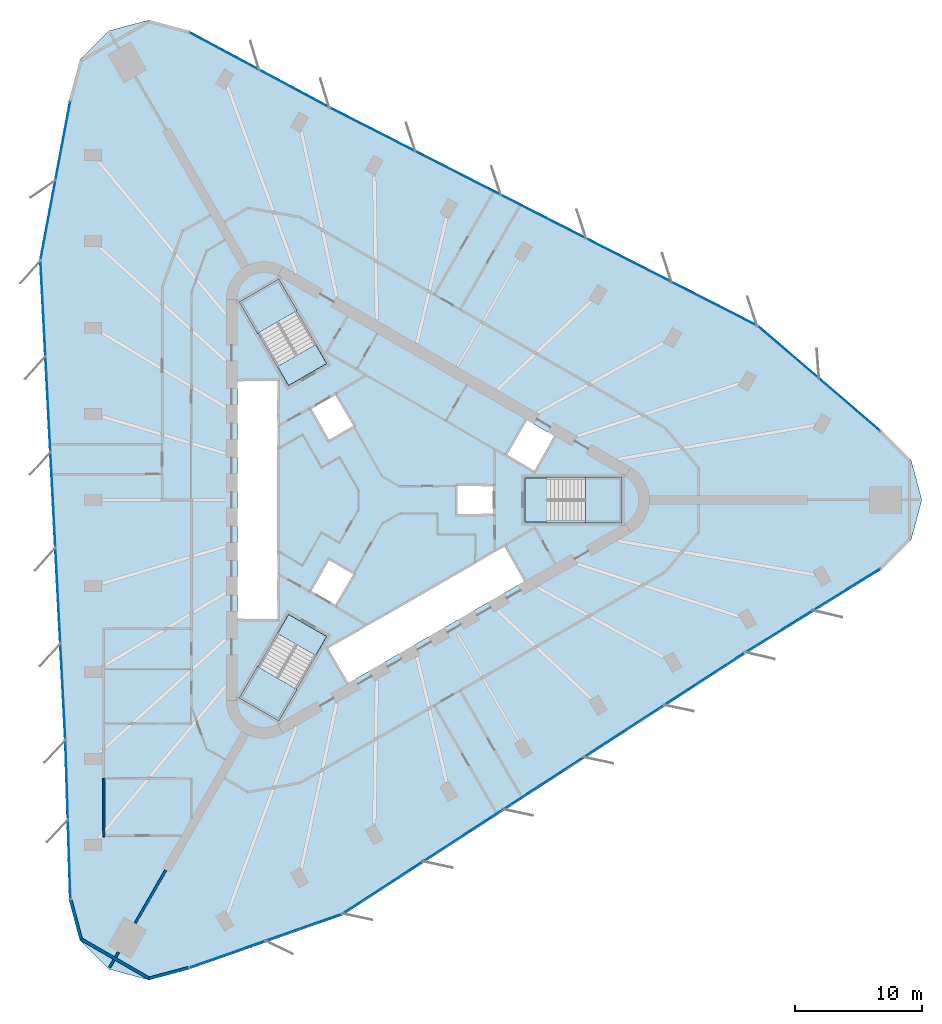
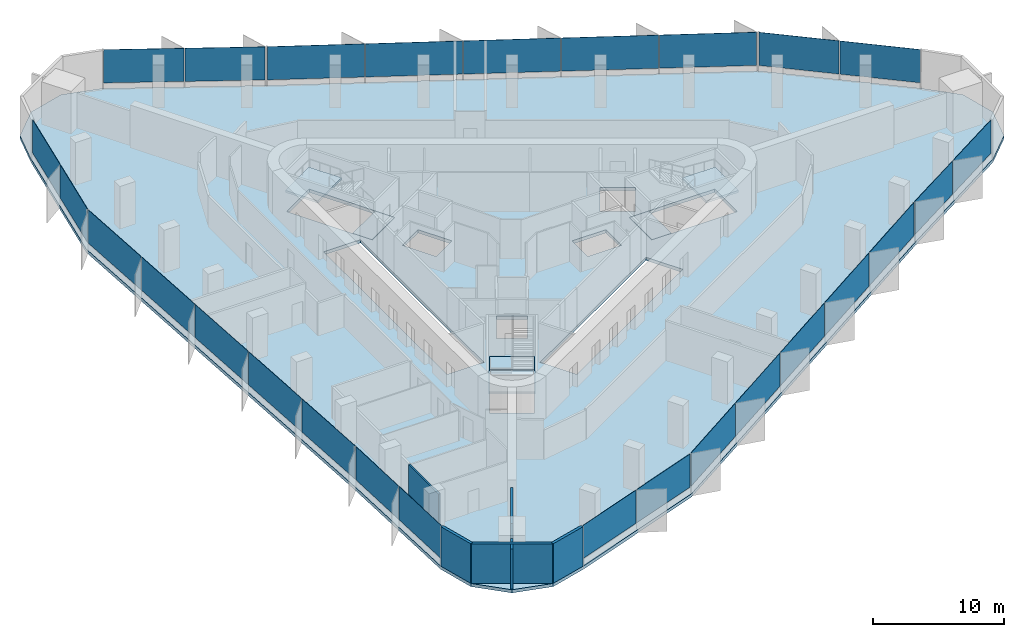
# One storey, part 7 of 13: 27 plates, 7 slabs, 7 walls, 12 elements without a shape of their own.
"""IFC4 building model written with IfcOpenShell, lengths in metres."""

from ifc_helpers import new_model, si_unit, direction, frame, frame_2d, origin, origin_2d, place, context, subcontext, project, spatial, polyline, rectangle, outline, extrude, material, layer, layer_set, type_object, element, aggregate, save


model = new_model("IFC4")

# Units and contexts
model_context = context("Model", 3, precision=1e-05, world=origin(), true_north=direction((0.0, 1.0)))
body_context = subcontext(model_context, "Body", "Model", "MODEL_VIEW")
ifc_project = project(units=[si_unit("LENGTHUNIT", "METRE"), si_unit("AREAUNIT", "SQUARE_METRE"), si_unit("VOLUMEUNIT", "CUBIC_METRE"), si_unit("PLANEANGLEUNIT", "RADIAN"), si_unit("MASSUNIT", "GRAM", prefix="KILO")], contexts=[model_context])

# Site, building, storey
site_placement = place(None, origin())
site = spatial("IfcSite", under=ifc_project, at=site_placement, CompositionType="ELEMENT")
building_placement = place(site_placement, origin())
building = spatial("IfcBuilding", under=site, at=building_placement, Name="Tanit Gate Tower", CompositionType="ELEMENT")
storey_placement = place(building_placement, frame((0.0, 0.0, 173.199951171875)))
storey = spatial("IfcBuildingStorey", under=building, at=storey_placement, Name="L37", CompositionType="ELEMENT", Elevation=173.199951171875)

# Slab
ifc_material_1 = material(Name="Concrete C35/45", Category="concrete")
ifc_layer_1 = layer(ifc_material_1, 0.300048828125)
ifc_layer_set_1 = layer_set([ifc_layer_1], Name="FLOOR SLAB 300 C35/45")
slab_type_1 = type_object("IfcSlabType", Name="FLOOR SLAB 300 C35/45", PredefinedType="FLOOR", material=ifc_layer_set_1)
slab_1_placement = place(storey_placement, frame((0.0, 0.0, -0.300048828125)))
element("IfcSlab", 1, at=slab_1_placement, inside=storey, type_object=slab_type_1, Name="FLOOR SLAB L37", PredefinedType="FLOOR", context=body_context, shape_type="SweptSolid", body=[
    extrude(outline(polyline([(39.398681640625, 5.455078125), (41.7041015625, 3.1494140625), (42.548095703125, 0.0), (41.7041015625, -3.1494140625), (39.398681640625, -5.455078125), (28.72216796875, -12.077392578125), (-2.923583984375, -32.607177734375), (-14.97509765625, -36.84765625), (-18.12451171875, -37.691650390625), (-21.27392578125, -36.84765625), (-23.57958984375, -34.5419921875), (-24.423583984375, -31.392578125), (-24.8203125, -18.83544921875), (-26.77685546875, 18.83544921875), (-24.423583984375, 31.392578125), (-23.57958984375, 34.5419921875), (-21.27392578125, 36.84765625), (-18.12451171875, 37.691650390625), (-14.97509765625, 36.84765625), (-3.90185546875, 30.912841796875), (29.700439453125, 13.771484375), (39.398681640625, 5.455078125)]), holes=[polyline([(11.3701171875, 1.72998046875), (18.929931640625, 1.72998046875), (18.929931640625, -1.72998046875), (11.3701171875, -1.72998046875), (11.3701171875, 1.72998046875)]), polyline([(9.82080078125, 3.510009765625), (11.44580078125, 6.324462890625), (13.783935546875, 4.974609375), (12.158935546875, 2.159912109375), (9.82080078125, 3.510009765625)]), polyline([(-4.208984375, -11.60986328125), (9.82080078125, -3.510009765625), (11.44580078125, -6.324462890625), (-2.583984375, -14.424560546875), (-4.208984375, -11.60986328125)]), polyline([(6.0, 1.199951171875), (9.0, 1.199951171875), (9.0, -1.199951171875), (6.0, -1.199951171875), (6.0, 1.199951171875)]), polyline([(-5.539306640625, 7.194091796875), (-3.460693359375, 8.394287109375), (-1.960693359375, 5.796142578125), (-4.039306640625, 4.59619140625), (-5.539306640625, 7.194091796875)]), polyline([(-1.960693359375, -5.796142578125), (-3.460693359375, -8.394287109375), (-5.539306640625, -7.194091796875), (-4.039306640625, -4.59619140625), (-1.960693359375, -5.796142578125)]), polyline([(-10.963134765625, 15.52880859375), (-7.966796875, 17.2587890625), (-4.186767578125, 10.711669921875), (-7.18310546875, 8.981689453125), (-10.963134765625, 15.52880859375)]), polyline([(-4.186767578125, -10.711669921875), (-7.966796875, -17.2587890625), (-10.963134765625, -15.52880859375), (-7.18310546875, -8.981689453125), (-4.186767578125, -10.711669921875)]), polyline([(-11.199951171875, -9.449951171875), (-11.199951171875, 9.449951171875), (-7.949951171875, 9.449951171875), (-7.949951171875, -9.449951171875), (-11.199951171875, -9.449951171875)])]), origin(), (0.0, 0.0, 1.0), 0.300048828125),
])

# Curtain wall, plates
ifc_material_2 = material(Name="Aluminium bronze anodised and glass", Category="aluminium")
curtain_wall_type = type_object("IfcCurtainWallType", Name="Curtain wall typical mid", PredefinedType="NOTDEFINED", material=ifc_material_2)
curtain_wall_1_placement = place(storey_placement, origin())
curtain_wall_1 = element("IfcCurtainWall", 2, at=curtain_wall_1_placement, inside=storey, type_object=curtain_wall_type, Name="Curtain wall L37 NE1", PredefinedType="NOTDEFINED")
ifc_material_3 = material(Name="Glass tinted", Category="glass")
ifc_layer_2 = layer(ifc_material_3, 0.030029296875)
ifc_layer_set_2 = layer_set([ifc_layer_2], Name="Glass panel 30 typical mid")
plate_type = type_object("IfcPlateType", Name="Glass panel 30 typical mid", PredefinedType="CURTAIN_PANEL", material=ifc_layer_set_2)
plate_1_placement = place(storey_placement, frame((36.880859375, 7.4560546875, 0.60009765625), z_axis=(0.0, 0.0, 1.0), x_axis=(-0.759109335547, 0.650963145412, 0.0)))
plate_1 = element("IfcPlate", 3, at=plate_1_placement, type_object=plate_type, Name="Glass panel L37 NE1.1", PredefinedType="CURTAIN_PANEL", context=body_context, shape_type="SweptSolid", body=[
    extrude(rectangle(XDim=6.25830078125, YDim=0.030029296875, at=origin_2d()), origin(), (0.0, 0.0, 1.0), 3.10009765625),
])
plate_2_placement = place(storey_placement, frame((32.0693359375, 11.58203125, 0.60009765625), z_axis=(0.0, 0.0, 1.0), x_axis=(-0.759109335547, 0.650963145412, 0.0)))
plate_2 = element("IfcPlate", 4, at=plate_2_placement, type_object=plate_type, Name="Glass panel L37 NE1.2", PredefinedType="CURTAIN_PANEL", context=body_context, shape_type="SweptSolid", body=[
    extrude(rectangle(XDim=6.25830078125, YDim=0.030029296875, at=origin_2d()), origin(), (0.0, 0.0, 1.0), 3.10009765625),
])
aggregate(curtain_wall_1, [plate_1, plate_2])

curtain_wall_2_placement = place(storey_placement, origin())
curtain_wall_2 = element("IfcCurtainWall", 5, at=curtain_wall_2_placement, inside=storey, type_object=curtain_wall_type, Name="Curtain wall L37 NE2", PredefinedType="NOTDEFINED")
plate_3_placement = place(storey_placement, frame((26.24560546875, 15.399169921875, 0.60009765625), z_axis=(0.0, 0.0, 1.0), x_axis=(-0.890792250432, 0.454410790552, 0.0)))
plate_3 = element("IfcPlate", 6, at=plate_3_placement, type_object=plate_type, Name="Glass panel L37 NE2.1", PredefinedType="CURTAIN_PANEL", context=body_context, shape_type="SweptSolid", body=[
    extrude(rectangle(XDim=7.44580078125, YDim=0.030029296875, at=origin_2d()), origin(), (0.0, 0.0, 1.0), 3.10009765625),
])
plate_4_placement = place(storey_placement, frame((19.541748046875, 18.819091796875, 0.60009765625), z_axis=(0.0, 0.0, 1.0), x_axis=(-0.890792250432, 0.454410790552, 0.0)))
plate_4 = element("IfcPlate", 7, at=plate_4_placement, type_object=plate_type, Name="Glass panel L37 NE2.2", PredefinedType="CURTAIN_PANEL", context=body_context, shape_type="SweptSolid", body=[
    extrude(rectangle(XDim=7.44580078125, YDim=0.030029296875, at=origin_2d()), origin(), (0.0, 0.0, 1.0), 3.10009765625),
])
plate_5_placement = place(storey_placement, frame((12.837890625, 22.23876953125, 0.60009765625), z_axis=(0.0, 0.0, 1.0), x_axis=(-0.890792250432, 0.454410790552, 0.0)))
plate_5 = element("IfcPlate", 8, at=plate_5_placement, type_object=plate_type, Name="Glass panel L37 NE2.3", PredefinedType="CURTAIN_PANEL", context=body_context, shape_type="SweptSolid", body=[
    extrude(rectangle(XDim=7.44580078125, YDim=0.030029296875, at=origin_2d()), origin(), (0.0, 0.0, 1.0), 3.10009765625),
])
plate_6_placement = place(storey_placement, frame((6.134033203125, 25.65869140625, 0.60009765625), z_axis=(0.0, 0.0, 1.0), x_axis=(-0.890792250432, 0.454410790552, 0.0)))
plate_6 = element("IfcPlate", 9, at=plate_6_placement, type_object=plate_type, Name="Glass panel L37 NE2.4", PredefinedType="CURTAIN_PANEL", context=body_context, shape_type="SweptSolid", body=[
    extrude(rectangle(XDim=7.44580078125, YDim=0.030029296875, at=origin_2d()), origin(), (0.0, 0.0, 1.0), 3.10009765625),
])
plate_7_placement = place(storey_placement, frame((-0.56982421875, 29.078369140625, 0.60009765625), z_axis=(0.0, 0.0, 1.0), x_axis=(-0.890792250432, 0.454410790552, 0.0)))
plate_7 = element("IfcPlate", 10, at=plate_7_placement, type_object=plate_type, Name="Glass panel L37 NE2.5", PredefinedType="CURTAIN_PANEL", context=body_context, shape_type="SweptSolid", body=[
    extrude(rectangle(XDim=7.44580078125, YDim=0.030029296875, at=origin_2d()), origin(), (0.0, 0.0, 1.0), 3.10009765625),
])
aggregate(curtain_wall_2, [plate_3, plate_4, plate_5, plate_6, plate_7])

curtain_wall_3_placement = place(storey_placement, origin())
curtain_wall_3 = element("IfcCurtainWall", 11, at=curtain_wall_3_placement, inside=storey, type_object=curtain_wall_type, Name="Curtain wall L37 NE3", PredefinedType="NOTDEFINED")
plate_8_placement = place(storey_placement, frame((-6.74072265625, 32.298095703125, 0.60009765625), z_axis=(0.0, 0.0, 1.0), x_axis=(-0.881384648642, 0.472399302643, 0.0)))
plate_8 = element("IfcPlate", 12, at=plate_8_placement, type_object=plate_type, Name="Glass panel L37 NE3.1", PredefinedType="CURTAIN_PANEL", context=body_context, shape_type="SweptSolid", body=[
    extrude(rectangle(XDim=6.1552734375, YDim=0.030029296875, at=origin_2d()), origin(), (0.0, 0.0, 1.0), 3.10009765625),
])
plate_9_placement = place(storey_placement, frame((-12.236328125, 35.24365234375, 0.60009765625), z_axis=(0.0, 0.0, 1.0), x_axis=(-0.881384648642, 0.472399302643, 0.0)))
plate_9 = element("IfcPlate", 13, at=plate_9_placement, type_object=plate_type, Name="Glass panel L37 NE3.2", PredefinedType="CURTAIN_PANEL", context=body_context, shape_type="SweptSolid", body=[
    extrude(rectangle(XDim=6.1552734375, YDim=0.030029296875, at=origin_2d()), origin(), (0.0, 0.0, 1.0), 3.10009765625),
])
aggregate(curtain_wall_3, [plate_8, plate_9])

curtain_wall_4_placement = place(storey_placement, origin())
curtain_wall_4 = element("IfcCurtainWall", 14, at=curtain_wall_4_placement, inside=storey, type_object=curtain_wall_type, Name="Curtain wall L37 W1", PredefinedType="NOTDEFINED")
plate_10_placement = place(storey_placement, frame((-24.897705078125, 28.211669921875, 0.60009765625), z_axis=(0.0, 0.0, 1.0), x_axis=(-0.184195953081, -0.98288954154, 0.0)))
plate_10 = element("IfcPlate", 15, at=plate_10_placement, type_object=plate_type, Name="Glass panel L37 W1.1", PredefinedType="CURTAIN_PANEL", context=body_context, shape_type="SweptSolid", body=[
    extrude(rectangle(XDim=6.25830078125, YDim=0.030029296875, at=origin_2d()), origin(), (0.0, 0.0, 1.0), 3.10009765625),
])
plate_11_placement = place(storey_placement, frame((-26.065185546875, 21.981689453125, 0.60009765625), z_axis=(0.0, 0.0, 1.0), x_axis=(-0.184195953081, -0.98288954154, 0.0)))
plate_11 = element("IfcPlate", 16, at=plate_11_placement, type_object=plate_type, Name="Glass panel L37 W1.2", PredefinedType="CURTAIN_PANEL", context=body_context, shape_type="SweptSolid", body=[
    extrude(rectangle(XDim=6.25830078125, YDim=0.030029296875, at=origin_2d()), origin(), (0.0, 0.0, 1.0), 3.10009765625),
])
aggregate(curtain_wall_4, [plate_10, plate_11])

curtain_wall_5_placement = place(storey_placement, origin())
curtain_wall_5 = element("IfcCurtainWall", 17, at=curtain_wall_5_placement, inside=storey, type_object=curtain_wall_type, Name="Curtain wall L37 W2", PredefinedType="NOTDEFINED")
plate_12_placement = place(storey_placement, frame((-26.458984375, 15.02978515625, 0.60009765625), z_axis=(0.0, 0.0, 1.0), x_axis=(0.051864836844, -0.998654113645, 0.0)))
plate_12 = element("IfcPlate", 18, at=plate_12_placement, type_object=plate_type, Name="Glass panel L37 W2.1", PredefinedType="CURTAIN_PANEL", context=body_context, shape_type="SweptSolid", body=[
    extrude(rectangle(XDim=7.44580078125, YDim=0.030029296875, at=origin_2d()), origin(), (0.0, 0.0, 1.0), 3.10009765625),
])
plate_13_placement = place(storey_placement, frame((-26.068603515625, 7.51416015625, 0.60009765625), z_axis=(0.0, 0.0, 1.0), x_axis=(0.051864836844, -0.998654113645, 0.0)))
plate_13 = element("IfcPlate", 19, at=plate_13_placement, type_object=plate_type, Name="Glass panel L37 W2.2", PredefinedType="CURTAIN_PANEL", context=body_context, shape_type="SweptSolid", body=[
    extrude(rectangle(XDim=7.44580078125, YDim=0.030029296875, at=origin_2d()), origin(), (0.0, 0.0, 1.0), 3.10009765625),
])
plate_14_placement = place(storey_placement, frame((-25.67822265625, -0.00146484375, 0.60009765625), z_axis=(0.0, 0.0, 1.0), x_axis=(0.051864836844, -0.998654113645, 0.0)))
plate_14 = element("IfcPlate", 20, at=plate_14_placement, type_object=plate_type, Name="Glass panel L37 W2.3", PredefinedType="CURTAIN_PANEL", context=body_context, shape_type="SweptSolid", body=[
    extrude(rectangle(XDim=7.44580078125, YDim=0.030029296875, at=origin_2d()), origin(), (0.0, 0.0, 1.0), 3.10009765625),
])
plate_15_placement = place(storey_placement, frame((-25.2880859375, -7.51708984375, 0.60009765625), z_axis=(0.0, 0.0, 1.0), x_axis=(0.051864836844, -0.998654113645, 0.0)))
plate_15 = element("IfcPlate", 21, at=plate_15_placement, type_object=plate_type, Name="Glass panel L37 W2.4", PredefinedType="CURTAIN_PANEL", context=body_context, shape_type="SweptSolid", body=[
    extrude(rectangle(XDim=7.44580078125, YDim=0.030029296875, at=origin_2d()), origin(), (0.0, 0.0, 1.0), 3.10009765625),
])
plate_16_placement = place(storey_placement, frame((-24.897705078125, -15.03271484375, 0.60009765625), z_axis=(0.0, 0.0, 1.0), x_axis=(0.051864836844, -0.998654113645, 0.0)))
plate_16 = element("IfcPlate", 22, at=plate_16_placement, type_object=plate_type, Name="Glass panel L37 W2.5", PredefinedType="CURTAIN_PANEL", context=body_context, shape_type="SweptSolid", body=[
    extrude(rectangle(XDim=7.44580078125, YDim=0.030029296875, at=origin_2d()), origin(), (0.0, 0.0, 1.0), 3.10009765625),
])
aggregate(curtain_wall_5, [plate_12, plate_13, plate_14, plate_15, plate_16])

curtain_wall_6_placement = place(storey_placement, origin())
curtain_wall_6 = element("IfcCurtainWall", 23, at=curtain_wall_6_placement, inside=storey, type_object=curtain_wall_type, Name="Curtain wall L37 W3", PredefinedType="NOTDEFINED")
plate_17_placement = place(storey_placement, frame((-24.600830078125, -21.986572265625, 0.60009765625), z_axis=(0.0, 0.0, 1.0), x_axis=(0.031582527502, -0.999501147551, 0.0)))
plate_17 = element("IfcPlate", 24, at=plate_17_placement, type_object=plate_type, Name="Glass panel L37 W3.1", PredefinedType="CURTAIN_PANEL", context=body_context, shape_type="SweptSolid", body=[
    extrude(rectangle(XDim=6.1552734375, YDim=0.030029296875, at=origin_2d()), origin(), (0.0, 0.0, 1.0), 3.10009765625),
])
plate_18_placement = place(storey_placement, frame((-24.40380859375, -28.21875, 0.60009765625), z_axis=(0.0, 0.0, 1.0), x_axis=(0.031582527502, -0.999501147551, 0.0)))
plate_18 = element("IfcPlate", 25, at=plate_18_placement, type_object=plate_type, Name="Glass panel L37 W3.2", PredefinedType="CURTAIN_PANEL", context=body_context, shape_type="SweptSolid", body=[
    extrude(rectangle(XDim=6.1552734375, YDim=0.030029296875, at=origin_2d()), origin(), (0.0, 0.0, 1.0), 3.10009765625),
])
aggregate(curtain_wall_6, [plate_17, plate_18])

curtain_wall_7_placement = place(storey_placement, origin())
curtain_wall_7 = element("IfcCurtainWall", 26, at=curtain_wall_7_placement, inside=storey, type_object=curtain_wall_type, Name="Curtain wall L37 SE1", PredefinedType="NOTDEFINED")
plate_19_placement = place(storey_placement, frame((-11.983154296875, -35.667724609375, 0.60009765625), z_axis=(0.0, 0.0, 1.0), x_axis=(0.943305288628, 0.331926396127, 0.0)))
plate_19 = element("IfcPlate", 27, at=plate_19_placement, type_object=plate_type, Name="Glass panel L37 SE1.1", PredefinedType="CURTAIN_PANEL", context=body_context, shape_type="SweptSolid", body=[
    extrude(rectangle(XDim=6.25830078125, YDim=0.030029296875, at=origin_2d()), origin(), (0.0, 0.0, 1.0), 3.10009765625),
])
plate_20_placement = place(storey_placement, frame((-6.004150390625, -33.56396484375, 0.60009765625), z_axis=(0.0, 0.0, 1.0), x_axis=(0.943305288628, 0.331926396127, 0.0)))
plate_20 = element("IfcPlate", 28, at=plate_20_placement, type_object=plate_type, Name="Glass panel L37 SE1.2", PredefinedType="CURTAIN_PANEL", context=body_context, shape_type="SweptSolid", body=[
    extrude(rectangle(XDim=6.25830078125, YDim=0.030029296875, at=origin_2d()), origin(), (0.0, 0.0, 1.0), 3.10009765625),
])
aggregate(curtain_wall_7, [plate_19, plate_20])

curtain_wall_8_placement = place(storey_placement, origin())
curtain_wall_8 = element("IfcCurtainWall", 29, at=curtain_wall_8_placement, inside=storey, type_object=curtain_wall_type, Name="Curtain wall L37 SE2", PredefinedType="NOTDEFINED")
plate_21_placement = place(storey_placement, frame((0.21337890625, -30.428955078125, 0.60009765625), z_axis=(0.0, 0.0, 1.0), x_axis=(0.838927413588, 0.544243323092, 0.0)))
plate_21 = element("IfcPlate", 30, at=plate_21_placement, type_object=plate_type, Name="Glass panel L37 SE2.1", PredefinedType="CURTAIN_PANEL", context=body_context, shape_type="SweptSolid", body=[
    extrude(rectangle(XDim=7.44580078125, YDim=0.030029296875, at=origin_2d()), origin(), (0.0, 0.0, 1.0), 3.10009765625),
])
plate_22_placement = place(storey_placement, frame((6.52685546875, -26.333251953125, 0.60009765625), z_axis=(0.0, 0.0, 1.0), x_axis=(0.838927413588, 0.544243323092, 0.0)))
plate_22 = element("IfcPlate", 31, at=plate_22_placement, type_object=plate_type, Name="Glass panel L37 SE2.2", PredefinedType="CURTAIN_PANEL", context=body_context, shape_type="SweptSolid", body=[
    extrude(rectangle(XDim=7.44580078125, YDim=0.030029296875, at=origin_2d()), origin(), (0.0, 0.0, 1.0), 3.10009765625),
])
plate_23_placement = place(storey_placement, frame((12.840576171875, -22.2373046875, 0.60009765625), z_axis=(0.0, 0.0, 1.0), x_axis=(0.838927413588, 0.544243323092, 0.0)))
plate_23 = element("IfcPlate", 32, at=plate_23_placement, type_object=plate_type, Name="Glass panel L37 SE2.3", PredefinedType="CURTAIN_PANEL", context=body_context, shape_type="SweptSolid", body=[
    extrude(rectangle(XDim=7.44580078125, YDim=0.030029296875, at=origin_2d()), origin(), (0.0, 0.0, 1.0), 3.10009765625),
])
plate_24_placement = place(storey_placement, frame((19.154052734375, -18.141357421875, 0.60009765625), z_axis=(0.0, 0.0, 1.0), x_axis=(0.838927413588, 0.544243323092, 0.0)))
plate_24 = element("IfcPlate", 33, at=plate_24_placement, type_object=plate_type, Name="Glass panel L37 SE2.4", PredefinedType="CURTAIN_PANEL", context=body_context, shape_type="SweptSolid", body=[
    extrude(rectangle(XDim=7.44580078125, YDim=0.030029296875, at=origin_2d()), origin(), (0.0, 0.0, 1.0), 3.10009765625),
])
plate_25_placement = place(storey_placement, frame((25.467529296875, -14.045654296875, 0.60009765625), z_axis=(0.0, 0.0, 1.0), x_axis=(0.838927413588, 0.544243323092, 0.0)))
plate_25 = element("IfcPlate", 34, at=plate_25_placement, type_object=plate_type, Name="Glass panel L37 SE2.5", PredefinedType="CURTAIN_PANEL", context=body_context, shape_type="SweptSolid", body=[
    extrude(rectangle(XDim=7.44580078125, YDim=0.030029296875, at=origin_2d()), origin(), (0.0, 0.0, 1.0), 3.10009765625),
])
aggregate(curtain_wall_8, [plate_21, plate_22, plate_23, plate_24, plate_25])

curtain_wall_9_placement = place(storey_placement, origin())
curtain_wall_9 = element("IfcCurtainWall", 35, at=curtain_wall_9_placement, inside=storey, type_object=curtain_wall_type, Name="Curtain wall L37 SE3", PredefinedType="NOTDEFINED")
plate_26_placement = place(storey_placement, frame((31.34130859375, -10.3115234375, 0.60009765625), z_axis=(0.0, 0.0, 1.0), x_axis=(0.84980212114, 0.527101844908, 0.0)))
plate_26 = element("IfcPlate", 36, at=plate_26_placement, type_object=plate_type, Name="Glass panel L37 SE3.1", PredefinedType="CURTAIN_PANEL", context=body_context, shape_type="SweptSolid", body=[
    extrude(rectangle(XDim=6.1552734375, YDim=0.030029296875, at=origin_2d()), origin(), (0.0, 0.0, 1.0), 3.10009765625),
])
plate_27_placement = place(storey_placement, frame((36.64013671875, -7.02490234375, 0.60009765625), z_axis=(0.0, 0.0, 1.0), x_axis=(0.84980212114, 0.527101844908, 0.0)))
plate_27 = element("IfcPlate", 37, at=plate_27_placement, type_object=plate_type, Name="Glass panel L37 SE3.2", PredefinedType="CURTAIN_PANEL", context=body_context, shape_type="SweptSolid", body=[
    extrude(rectangle(XDim=6.1552734375, YDim=0.030029296875, at=origin_2d()), origin(), (0.0, 0.0, 1.0), 3.10009765625),
])
aggregate(curtain_wall_9, [plate_26, plate_27])

# Stair, slab
ifc_material_4 = material(Name="Concrete C40/50", Category="concrete")
stair_type = type_object("IfcStairType", Name="INT-STAIR-EXIT", PredefinedType="HALF_TURN_STAIR", material=ifc_material_4)
stair_1_placement = place(storey_placement, origin())
stair_1 = element("IfcStair", 38, at=stair_1_placement, inside=storey, type_object=stair_type, Name="L37 STAIR S1", PredefinedType="HALF_TURN_STAIR")
ifc_material_5 = material(Name="Concrete C40/50", Category="concrete")
ifc_layer_3 = layer(ifc_material_5, 0.199951171875)
ifc_layer_set_3 = layer_set([ifc_layer_3], Name="INT-STAIR-LANDING")
slab_type_2 = type_object("IfcSlabType", Name="INT-STAIR-LANDING", PredefinedType="LANDING", material=ifc_layer_set_3)
slab_2_placement = place(storey_placement, frame((0.0, 0.0, 1.800048828125)))
slab_2 = element("IfcSlab", 39, at=slab_2_placement, type_object=slab_type_2, Name="S1 landing 1", PredefinedType="LANDING", context=body_context, shape_type="SweptSolid", body=[
    extrude(outline(polyline([(16.135986328125, -1.800048828125), (19.0, -1.800048828125), (19.0, 1.800048828125), (16.135986328125, 1.800048828125), (16.135986328125, -1.800048828125)])), origin(), (0.0, 0.0, 1.0), 0.199951171875),
])
aggregate(stair_1, [slab_2])

# Slab
slab_3_placement = place(storey_placement, frame((0.0, 0.0, -0.199951171875)))
element("IfcSlab", 40, at=slab_3_placement, inside=storey, type_object=slab_type_2, Name="S1 floor landing", PredefinedType="LANDING", context=body_context, shape_type="SweptSolid", body=[
    extrude(outline(polyline([(11.3798828125, -1.719970703125), (13.10498046875, -1.719970703125), (13.10498046875, 1.719970703125), (11.3798828125, 1.719970703125), (11.3798828125, -1.719970703125)])), origin(), (0.0, 0.0, 1.0), 0.199951171875),
])

# Stair, slab
stair_2_placement = place(storey_placement, origin())
stair_2 = element("IfcStair", 41, at=stair_2_placement, inside=storey, type_object=stair_type, Name="L37 STAIR S2", PredefinedType="HALF_TURN_STAIR")
slab_4_placement = place(storey_placement, frame((0.0, 0.0, 1.800048828125)))
slab_4 = element("IfcSlab", 42, at=slab_4_placement, type_object=slab_type_2, Name="S2 landing 1", PredefinedType="LANDING", context=body_context, shape_type="SweptSolid", body=[
    extrude(outline(polyline([(-6.5078125, 14.871826171875), (-7.941162109375, 17.3544921875), (-11.058837890625, 15.554443359375), (-9.62548828125, 13.07177734375), (-6.5078125, 14.871826171875)])), origin(), (0.0, 0.0, 1.0), 0.199951171875),
])
aggregate(stair_2, [slab_4])

# Slab
slab_5_placement = place(storey_placement, frame((0.0, 0.0, -0.199951171875)))
element("IfcSlab", 43, at=slab_5_placement, inside=storey, type_object=slab_type_2, Name="S2 floor landing", PredefinedType="LANDING", context=body_context, shape_type="SweptSolid", body=[
    extrude(outline(polyline([(-4.200439453125, 10.71533203125), (-5.0625, 12.20849609375), (-8.04150390625, 10.48828125), (-7.179443359375, 8.995361328125), (-4.200439453125, 10.71533203125)])), origin(), (0.0, 0.0, 1.0), 0.199951171875),
])

# Stair, slab
stair_3_placement = place(storey_placement, origin())
stair_3 = element("IfcStair", 44, at=stair_3_placement, inside=storey, type_object=stair_type, Name="L37 STAIR S3", PredefinedType="HALF_TURN_STAIR")
slab_6_placement = place(storey_placement, frame((0.0, 0.0, 1.800048828125)))
slab_6 = element("IfcSlab", 45, at=slab_6_placement, type_object=slab_type_2, Name="S3 landing 1", PredefinedType="LANDING", context=body_context, shape_type="SweptSolid", body=[
    extrude(outline(polyline([(-9.626953125, -13.07421875), (-11.058837890625, -15.554443359375), (-7.941162109375, -17.3544921875), (-6.509033203125, -14.874267578125), (-9.626953125, -13.07421875)])), origin(), (0.0, 0.0, 1.0), 0.199951171875),
])
aggregate(stair_3, [slab_6])

# Slab
slab_7_placement = place(storey_placement, frame((0.0, 0.0, -0.199951171875)))
element("IfcSlab", 46, at=slab_7_placement, inside=storey, type_object=slab_type_2, Name="S3 floor landing", PredefinedType="LANDING", context=body_context, shape_type="SweptSolid", body=[
    extrude(outline(polyline([(-7.179443359375, -8.995361328125), (-8.0419921875, -10.4892578125), (-5.06298828125, -12.209228515625), (-4.200439453125, -10.71533203125), (-7.179443359375, -8.995361328125)])), origin(), (0.0, 0.0, 1.0), 0.199951171875),
])

# Walls
ifc_material_6 = material(Name="Concrete C30/37 with bronze anodised aluminium cladding", Category="concrete")
ifc_layer_4 = layer(ifc_material_6, 0.239990234375)
ifc_layer_set_4 = layer_set([ifc_layer_4], Name="Facade wall bronze clad 240")
wall_type_1 = type_object("IfcWallType", Name="Facade wall bronze clad 240", PredefinedType="SOLIDWALL", material=ifc_layer_set_4)
wall_1_placement = place(storey_placement, frame((-24.303955078125, -31.375, 0.0), z_axis=(0.0, 0.0, 1.0), x_axis=(0.258763925409, -0.965940593881, 0.0)))
element("IfcWall", 47, at=wall_1_placement, inside=storey, type_object=wall_type_1, Name="Bronze-clad facade wall L37 SW.arc1", PredefinedType="SOLIDWALL", context=body_context, shape_type="SweptSolid", body=[
    extrude(rectangle(XDim=3.21435546875, YDim=0.239990234375, at=frame_2d((1.607177734375, 0.0))), origin(), (0.0, 0.0, 1.0), 3.699951171875),
])
wall_2_placement = place(storey_placement, frame((-23.47216796875, -34.47998046875, 0.0), z_axis=(0.0, 0.0, 1.0), x_axis=(0.866030202489, -0.499991688307, 0.0)))
element("IfcWall", 48, at=wall_2_placement, inside=storey, type_object=wall_type_1, Name="Bronze-clad facade wall L37 SW.arc2", PredefinedType="SOLIDWALL", context=body_context, shape_type="SweptSolid", body=[
    extrude(rectangle(XDim=6.1748046875, YDim=0.239990234375, at=frame_2d((3.08740234375, 0.0))), origin(), (0.0, 0.0, 1.0), 3.699951171875),
])
wall_3_placement = place(storey_placement, frame((-18.12451171875, -37.5673828125, 0.0), z_axis=(0.0, 0.0, 1.0), x_axis=(0.965919993975, 0.258840810616, 0.0)))
element("IfcWall", 49, at=wall_3_placement, inside=storey, type_object=wall_type_1, Name="Bronze-clad facade wall L37 SW.arc3", PredefinedType="SOLIDWALL", context=body_context, shape_type="SweptSolid", body=[
    extrude(rectangle(XDim=3.223876953125, YDim=0.239990234375, at=frame_2d((1.61181640625, 0.0))), origin(), (0.0, 0.0, 1.0), 3.699951171875),
])
ifc_material_7 = material(Name="Fire-rated gypsum board partition")
ifc_layer_5 = layer(ifc_material_7, 0.199951171875)
ifc_layer_set_5 = layer_set([ifc_layer_5], Name="INT-WALL-COMPARTMENT")
wall_type_2 = type_object("IfcWallType", Name="INT-WALL-COMPARTMENT", PredefinedType="PARTITIONING", material=ifc_layer_set_5)
wall_4_placement = place(storey_placement, frame((-16.8173828125, -29.068359375, 0.0), z_axis=(0.0, 0.0, 1.0), x_axis=(-0.499988695522, -0.866031930329, 0.0)))
element("IfcWall", 50, at=wall_4_placement, inside=storey, type_object=wall_type_2, Name="Wall Compartment W114", PredefinedType="PARTITIONING", context=body_context, shape_type="SweptSolid", body=[
    extrude(rectangle(XDim=4.8154296875, YDim=0.199951171875, at=frame_2d((2.40771484375, 0.0))), origin(), (0.0, 0.0, 1.0), 3.27001953125),
])
wall_5_placement = place(storey_placement, frame((-20.52490234375, -35.490234375, 0.0), z_axis=(0.0, 0.0, 1.0), x_axis=(-0.499869636591, -0.866100656052, 0.0)))
element("IfcWall", 51, at=wall_5_placement, inside=storey, type_object=wall_type_2, Name="Wall Compartment W113", PredefinedType="PARTITIONING", context=body_context, shape_type="SweptSolid", body=[
    extrude(rectangle(XDim=0.478759765625, YDim=0.199951171875, at=frame_2d((0.2392578125, 0.0))), origin(), (0.0, 0.0, 1.0), 3.699951171875),
])
wall_6_placement = place(storey_placement, frame((-20.88427734375, -36.112548828125, 0.0), z_axis=(0.0, 0.0, 1.0), x_axis=(-0.49989369433, -0.866086770693, 0.0)))
element("IfcWall", 52, at=wall_6_placement, inside=storey, type_object=wall_type_2, Name="Wall Compartment W113x1", PredefinedType="PARTITIONING", context=body_context, shape_type="SweptSolid", body=[
    extrude(rectangle(XDim=0.699462890625, YDim=0.199951171875, at=frame_2d((0.349609375, 0.0))), origin(), (0.0, 0.0, 1.0), 3.699951171875),
])
ifc_material_8 = material(Name="Fire-rated gypsum board partition")
ifc_layer_6 = layer(ifc_material_8, 0.14990234375)
ifc_layer_set_6 = layer_set([ifc_layer_6], Name="INT-WALL-RISER")
wall_type_3 = type_object("IfcWallType", Name="INT-WALL-RISER", PredefinedType="PLUMBINGWALL", material=ifc_layer_set_6)
wall_7_placement = place(storey_placement, frame((-21.679931640625, -26.425048828125, 0.0), z_axis=(0.0, 0.0, 1.0), x_axis=(0.0, 1.0, 0.0)))
element("IfcWall", 53, at=wall_7_placement, inside=storey, type_object=wall_type_3, Name="Wall Riser W119", PredefinedType="PLUMBINGWALL", context=body_context, shape_type="SweptSolid", body=[
    extrude(rectangle(XDim=4.592041015625, YDim=0.14990234375, at=frame_2d((2.2958984375, 0.0))), origin(), (0.0, 0.0, 1.0), 2.780029296875),
])

save(model, "model.ifc")
